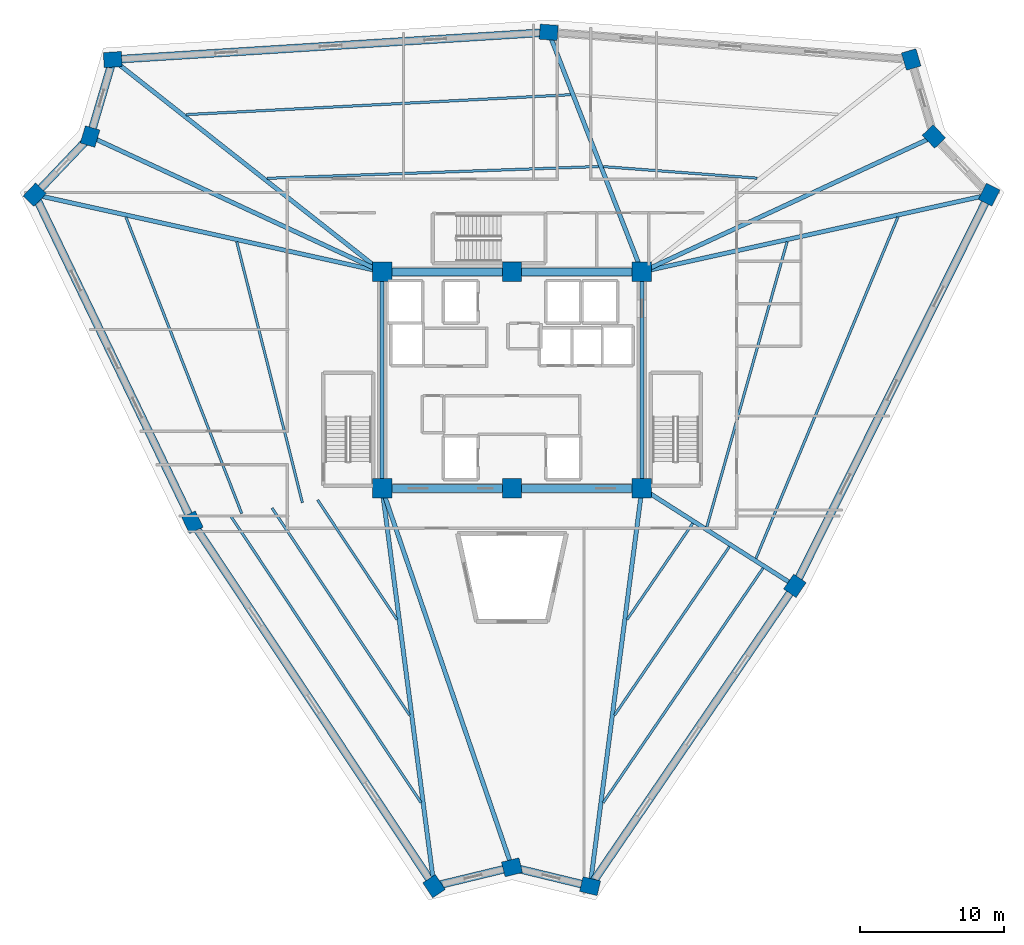
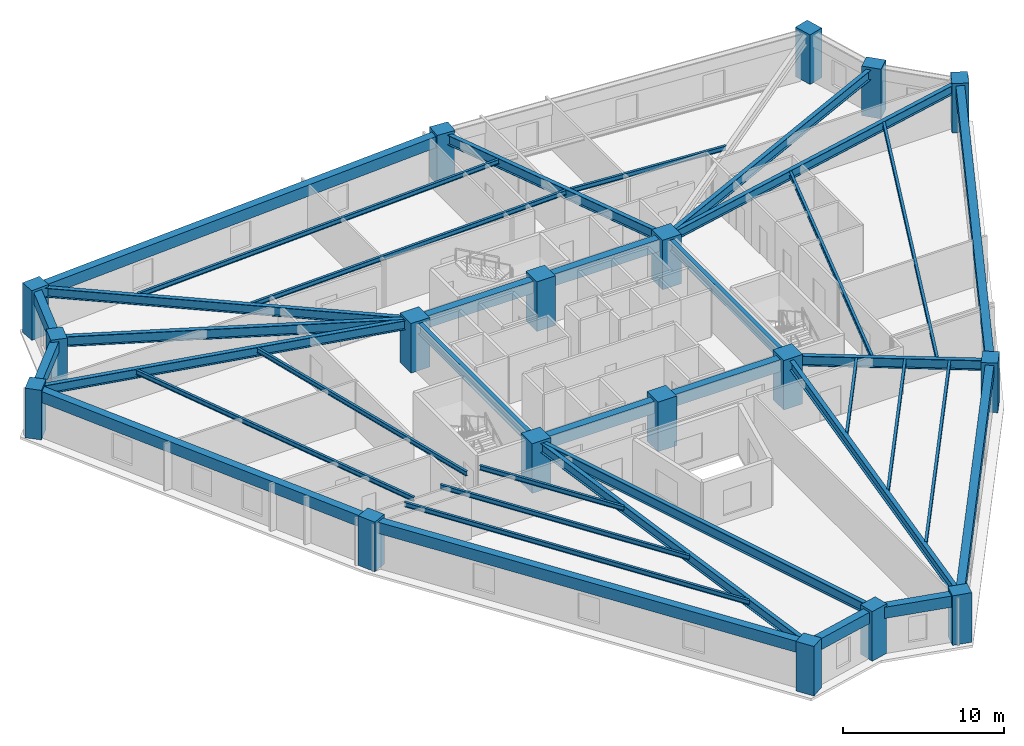
# One storey, part 1 of 9: 38 beams, 18 columns.
"""IFC4 building model written with IfcOpenShell, lengths in metres."""

from ifc_helpers import new_model, si_unit, direction, frame, origin, origin_2d, place, context, subcontext, project, spatial, rectangle, i_section, extrude, source, transform, mapped, material, material_profile, profile_set, type_object, element, save


model = new_model("IFC4")

# Units and contexts
model_context = context("Model", 3, precision=1e-05, world=origin(), true_north=direction((0.0, 1.0)))
body_context = subcontext(model_context, "Body", "Model", "MODEL_VIEW")
ifc_project = project(units=[si_unit("LENGTHUNIT", "METRE"), si_unit("AREAUNIT", "SQUARE_METRE"), si_unit("VOLUMEUNIT", "CUBIC_METRE"), si_unit("PLANEANGLEUNIT", "RADIAN"), si_unit("MASSUNIT", "GRAM", prefix="KILO")], contexts=[model_context])

# Site, building, storey
site_placement = place(None, origin())
site = spatial("IfcSite", under=ifc_project, at=site_placement, CompositionType="ELEMENT")
building_placement = place(site_placement, origin())
building = spatial("IfcBuilding", under=site, at=building_placement, Name="Liaohun Quay Tower", CompositionType="ELEMENT")
storey_placement = place(building_placement, frame((0.0, 0.0, 224.25)))
storey = spatial("IfcBuildingStorey", under=building, at=storey_placement, Name="L58", CompositionType="ELEMENT", Elevation=224.25)

# Columns
ifc_material_1 = material(Name="Concrete C55", Category="concrete")
ifc_material_profile_1 = material_profile(ifc_material_1, rectangle(XDim=1.35009765625, YDim=1.35009765625, at=origin_2d()), Name="RC1350x1350")
ifc_profile_set_1 = profile_set([ifc_material_profile_1], Name="Concrete C55")
column_type_1 = type_object("IfcColumnType", Name="COL-CC-Z3", PredefinedType="COLUMN", material=ifc_profile_set_1)
shared_shape_1 = source(origin(), body_context, "Body", "SweptSolid", [
    extrude(rectangle(XDim=1.35009765625, YDim=1.35009765625, at=origin_2d()), origin(), (0.0, 0.0, 1.0), 3.75),
])
for number, where, z_axis, x_axis, name in (
    (1, (51.0, 46.5, 0.0), (0.0, 0.0, 1.0), (1.0, 0.0, 0.0), "L58 Core Column CC1"),
    (2, (60.0, 46.5, 0.0), (0.0, 0.0, 1.0), (1.0, 0.0, 0.0), "L58 Core Column CC2"),
    (3, (69.0, 46.5, 0.0), (0.0, 0.0, 1.0), (1.0, 0.0, 0.0), "L58 Core Column CC3"),
    (4, (69.0, 61.5, 0.0), (0.0, 0.0, 1.0), (1.0, 0.0, 0.0), "L58 Core Column CC4"),
    (5, (60.0, 61.5, 0.0), (0.0, 0.0, 1.0), (1.0, 0.0, 0.0), "L58 Core Column CC5"),
    (6, (51.0, 61.5, 0.0), (0.0, 0.0, 1.0), (1.0, 0.0, 0.0), "L58 Core Column CC6"),
):
    element("IfcColumn", number, at=place(storey_placement, frame(where, z_axis=z_axis, x_axis=x_axis)), inside=storey, type_object=column_type_1, Name=name, PredefinedType="COLUMN", context=body_context, shape_type="MappedRepresentation", body=[
        mapped(shared_shape_1, transform((0.0, 0.0, 0.0), x_axis=(1.0, 0.0, 0.0), y_axis=(0.0, 1.0, 0.0), z_axis=(0.0, 0.0, 1.0), scale=1.0)),
    ])
ifc_material_profile_2 = material_profile(ifc_material_1, rectangle(XDim=1.25, YDim=1.050048828125, at=origin_2d()), Name="RC1250x1050")
ifc_profile_set_2 = profile_set([ifc_material_profile_2], Name="Concrete C55")
column_type_2 = type_object("IfcColumnType", Name="COL-PIER-Z3", PredefinedType="COLUMN", material=ifc_profile_set_2)
shared_shape_2 = source(origin(), body_context, "Body", "SweptSolid", [
    extrude(rectangle(XDim=1.25, YDim=1.050048828125, at=origin_2d()), origin(), (0.0, 0.0, 1.0), 3.75),
])
for number, where, z_axis, x_axis, name in (
    (7, (54.60009765625, 18.952880859375, 0.0), (0.0, 0.0, 1.0), (-0.553100771174, 0.833114360053, 0.0), "L58 Perimeter Pier PC01"),
    (8, (37.864990234375, 44.155029296875, 0.0), (0.0, 0.0, 1.0), (-0.43381634559, 0.90100131981, 0.0), "L58 Perimeter Pier PC02"),
    (9, (26.944091796875, 66.841064453125, 0.0), (0.0, 0.0, 1.0), (0.68936671806, 0.724412539946, 0.0), "L58 Perimeter Pier PC03"),
    (10, (30.778076171875, 70.87109375, 0.0), (0.0, 0.0, 1.0), (0.282676303383, 0.959215360337, 0.0), "L58 Perimeter Pier PC04"),
    (11, (32.34912109375, 76.199951171875, 0.0), (0.0, 0.0, 1.0), (0.998048585651, 0.062442138662, 0.0), "L58 Perimeter Pier PC05"),
    (12, (62.5419921875, 78.091064453125, 0.0), (0.0, 0.0, 1.0), (-0.997198204594, 0.074804684047, 0.0), "L58 Perimeter Pier PC06"),
    (13, (87.64892578125, 76.20703125, 0.0), (0.0, 0.0, 1.0), (-0.282676303383, 0.959215360337, 0.0), "L58 Perimeter Pier PC07"),
    (14, (89.221923828125, 70.87109375, 0.0), (0.0, 0.0, 1.0), (-0.68936671806, 0.724412539946, 0.0), "L58 Perimeter Pier PC08"),
    (15, (93.051025390625, 66.845947265625, 0.0), (0.0, 0.0, 1.0), (0.444947814477, 0.895556498716, 0.0), "L58 Perimeter Pier PC09"),
    (16, (79.593017578125, 39.75390625, 0.0), (0.0, 0.0, 1.0), (0.563381859003, 0.826196635763, 0.0), "L58 Perimeter Pier PC10"),
    (17, (65.407958984375, 18.950927734375, 0.0), (0.0, 0.0, 1.0), (-0.972043021443, 0.234802820391, 0.0), "L58 Perimeter Pier PC11"),
    (18, (60.0, 20.257080078125, 0.0), (0.0, 0.0, 1.0), (0.972043021443, 0.234802820391, 0.0), "L58 Perimeter Pier PC12"),
):
    element("IfcColumn", number, at=place(storey_placement, frame(where, z_axis=z_axis, x_axis=x_axis)), inside=storey, type_object=column_type_2, Name=name, PredefinedType="COLUMN", context=body_context, shape_type="MappedRepresentation", body=[
        mapped(shared_shape_2, transform((0.0, 0.0, 0.0), x_axis=(1.0, 0.0, 0.0), y_axis=(0.0, 1.0, 0.0), z_axis=(0.0, 0.0, 1.0), scale=1.0)),
    ])

# Beams
ifc_material_2 = material(Name="Steel Q355D", Category="steel")
ifc_material_profile_3 = material_profile(ifc_material_2, i_section(OverallWidth=0.300048828125, OverallDepth=0.800048828125, WebThickness=0.013916015625, FlangeThickness=0.02587890625, at=origin_2d()), Name="HN800x300x14x26")
ifc_profile_set_3 = profile_set([ifc_material_profile_3], Name="Steel Q355D")
beam_type_1 = type_object("IfcBeamType", Name="BM-RAD-M1", PredefinedType="BEAM", material=ifc_profile_set_3)
shared_shape_3 = source(origin(), body_context, "Body", "SweptSolid", [
    extrude(i_section(OverallWidth=0.300048828125, OverallDepth=0.800048828125, WebThickness=0.013916015625, FlangeThickness=0.02587890625, at=origin_2d()), origin(), (0.0, 0.0, 1.0), 15.0),
])
for number, where, z_axis, x_axis, name in (
    (19, (69.0, 46.5, 3.169921875), (0.0, 1.0, 0.0), (-1.0, 0.0, 0.0), "L58 Core Coupling/Ring Beam CC3-CC4"),
    (20, (51.0, 61.5, 3.169921875), (0.0, -1.0, 0.0), (1.0, 0.0, 0.0), "L58 Core Coupling/Ring Beam CC6-CC1"),
):
    element("IfcBeam", number, at=place(storey_placement, frame(where, z_axis=z_axis, x_axis=x_axis)), inside=storey, type_object=beam_type_1, Name=name, PredefinedType="BEAM", context=body_context, shape_type="MappedRepresentation", body=[
        mapped(shared_shape_3, transform((0.0, 0.0, 0.0), x_axis=(1.0, 0.0, 0.0), y_axis=(0.0, 1.0, 0.0), z_axis=(0.0, 0.0, 1.0), scale=1.0)),
    ])
ifc_material_profile_4 = material_profile(ifc_material_1, rectangle(XDim=0.550048828125, YDim=0.89990234375, at=origin_2d()), Name="RC550x900")
ifc_profile_set_4 = profile_set([ifc_material_profile_4], Name="Concrete C55")
beam_type_2 = type_object("IfcBeamType", Name="BM-CPL-2", PredefinedType="LINTEL", material=ifc_profile_set_4)
shared_shape_4 = source(origin(), body_context, "Body", "SweptSolid", [
    extrude(rectangle(XDim=0.550048828125, YDim=0.89990234375, at=origin_2d()), origin(), (0.0, 0.0, 1.0), 9.0),
])
for number, where, z_axis, x_axis, name in (
    (21, (51.0, 46.5, 3.1201171875), (1.0, 0.0, 0.0), (0.0, 1.0, 0.0), "L58 Core Coupling/Ring Beam CC1-CC2"),
    (22, (60.0, 46.5, 3.1201171875), (1.0, 0.0, 0.0), (0.0, 1.0, 0.0), "L58 Core Coupling/Ring Beam CC2-CC3"),
    (23, (69.0, 61.5, 3.1201171875), (-1.0, 0.0, 0.0), (0.0, -1.0, 0.0), "L58 Core Coupling/Ring Beam CC4-CC5"),
    (24, (60.0, 61.5, 3.1201171875), (-1.0, 0.0, 0.0), (0.0, -1.0, 0.0), "L58 Core Coupling/Ring Beam CC5-CC6"),
):
    element("IfcBeam", number, at=place(storey_placement, frame(where, z_axis=z_axis, x_axis=x_axis)), inside=storey, type_object=beam_type_2, Name=name, PredefinedType="LINTEL", context=body_context, shape_type="MappedRepresentation", body=[
        mapped(shared_shape_4, transform((0.0, 0.0, 0.0), x_axis=(1.0, 0.0, 0.0), y_axis=(0.0, 1.0, 0.0), z_axis=(0.0, 0.0, 1.0), scale=1.0)),
    ])
ifc_material_profile_5 = material_profile(ifc_material_2, i_section(OverallWidth=0.300048828125, OverallDepth=0.699951171875, WebThickness=0.012939453125, FlangeThickness=0.02392578125, at=origin_2d()), Name="HN700x300x13x24")
ifc_profile_set_5 = profile_set([ifc_material_profile_5], Name="Steel Q355D")
beam_type_3 = type_object("IfcBeamType", Name="BM-RAD-U1", PredefinedType="BEAM", material=ifc_profile_set_5)
shared_shape_5 = source(origin(), body_context, "Body", "SweptSolid", [
    extrude(i_section(OverallWidth=0.300048828125, OverallDepth=0.699951171875, WebThickness=0.012939453125, FlangeThickness=0.02392578125, at=origin_2d()), origin(), (0.0, 0.0, 1.0), 27.78125),
])
beam_1_placement = place(storey_placement, frame((51.0, 46.5, 3.219970703125), z_axis=(0.129586761075, -0.991568087099, 0.0), x_axis=(0.991568087099, 0.129586761075, 0.0)))
element("IfcBeam", 25, at=beam_1_placement, inside=storey, type_object=beam_type_3, Name="L58 Radial Primary Girder CC1-PC01", PredefinedType="BEAM", context=body_context, shape_type="MappedRepresentation", body=[
    mapped(shared_shape_5, transform((0.0, 0.0, 0.0), x_axis=(1.0, 0.0, 0.0), y_axis=(0.0, 1.0, 0.0), z_axis=(0.0, 0.0, 1.0), scale=1.0)),
])
shared_shape_6 = source(origin(), body_context, "Body", "SweptSolid", [
    extrude(i_section(OverallWidth=0.300048828125, OverallDepth=0.699951171875, WebThickness=0.012939453125, FlangeThickness=0.02392578125, at=origin_2d()), origin(), (0.0, 0.0, 1.0), 24.6416015625),
])
beam_2_placement = place(storey_placement, frame((51.0, 61.5, 3.219970703125), z_axis=(-0.976227373149, 0.216748969811, 0.0), x_axis=(-0.216748969811, -0.976227373149, 0.0)))
element("IfcBeam", 26, at=beam_2_placement, inside=storey, type_object=beam_type_3, Name="L58 Radial Primary Girder CC6-PC03", PredefinedType="BEAM", context=body_context, shape_type="MappedRepresentation", body=[
    mapped(shared_shape_6, transform((0.0, 0.0, 0.0), x_axis=(1.0, 0.0, 0.0), y_axis=(0.0, 1.0, 0.0), z_axis=(0.0, 0.0, 1.0), scale=1.0)),
])
ifc_material_profile_6 = material_profile(ifc_material_2, i_section(OverallWidth=0.300048828125, OverallDepth=0.75, WebThickness=0.013916015625, FlangeThickness=0.02587890625, at=origin_2d()), Name="HN750x300x14x26")
ifc_profile_set_6 = profile_set([ifc_material_profile_6], Name="Steel Q355D")
beam_type_4 = type_object("IfcBeamType", Name="BM-RAD-M2", PredefinedType="BEAM", material=ifc_profile_set_6)
shared_shape_7 = source(origin(), body_context, "Body", "SweptSolid", [
    extrude(i_section(OverallWidth=0.300048828125, OverallDepth=0.75, WebThickness=0.013916015625, FlangeThickness=0.02587890625, at=origin_2d()), origin(), (0.0, 0.0, 1.0), 22.287841796875),
])
for number, where, z_axis, x_axis, name in (
    (27, (51.0, 61.5, 3.195068359375), (-0.907311319993, 0.420459473211, 0.0), (-0.420459473211, -0.907311319993, 0.0), "L58 Radial Primary Girder CC6-PC04"),
    (28, (69.0, 61.5, 3.195068359375), (0.907311319993, 0.420459473211, 0.0), (-0.420459473211, 0.907311319993, 0.0), "L58 Radial Primary Girder CC4-PC08"),
):
    element("IfcBeam", number, at=place(storey_placement, frame(where, z_axis=z_axis, x_axis=x_axis)), inside=storey, type_object=beam_type_4, Name=name, PredefinedType="BEAM", context=body_context, shape_type="MappedRepresentation", body=[
        mapped(shared_shape_7, transform((0.0, 0.0, 0.0), x_axis=(1.0, 0.0, 0.0), y_axis=(0.0, 1.0, 0.0), z_axis=(0.0, 0.0, 1.0), scale=1.0)),
    ])
shared_shape_8 = source(origin(), body_context, "Body", "SweptSolid", [
    extrude(i_section(OverallWidth=0.300048828125, OverallDepth=0.699951171875, WebThickness=0.012939453125, FlangeThickness=0.02392578125, at=origin_2d()), origin(), (0.0, 0.0, 1.0), 23.74755859375),
])
beam_3_placement = place(storey_placement, frame((51.0, 61.5, 3.219970703125), z_axis=(-0.785382772163, 0.619010420906, 0.0), x_axis=(-0.619010420906, -0.785382772163, 0.0)))
element("IfcBeam", 29, at=beam_3_placement, inside=storey, type_object=beam_type_3, Name="L58 Radial Primary Girder CC6-PC05", PredefinedType="BEAM", context=body_context, shape_type="MappedRepresentation", body=[
    mapped(shared_shape_8, transform((0.0, 0.0, 0.0), x_axis=(1.0, 0.0, 0.0), y_axis=(0.0, 1.0, 0.0), z_axis=(0.0, 0.0, 1.0), scale=1.0)),
])
shared_shape_9 = source(origin(), body_context, "Body", "SweptSolid", [
    extrude(i_section(OverallWidth=0.300048828125, OverallDepth=0.75, WebThickness=0.013916015625, FlangeThickness=0.02587890625, at=origin_2d()), origin(), (0.0, 0.0, 1.0), 17.8037109375),
])
beam_4_placement = place(storey_placement, frame((69.0, 61.5, 3.195068359375), z_axis=(-0.362735429247, 0.931892165633, 0.0), x_axis=(-0.931892165633, -0.362735429247, 0.0)))
element("IfcBeam", 30, at=beam_4_placement, inside=storey, type_object=beam_type_4, Name="L58 Radial Primary Girder CC4-PC06", PredefinedType="BEAM", context=body_context, shape_type="MappedRepresentation", body=[
    mapped(shared_shape_9, transform((0.0, 0.0, 0.0), x_axis=(1.0, 0.0, 0.0), y_axis=(0.0, 1.0, 0.0), z_axis=(0.0, 0.0, 1.0), scale=1.0)),
])
shared_shape_10 = source(origin(), body_context, "Body", "SweptSolid", [
    extrude(i_section(OverallWidth=0.300048828125, OverallDepth=0.699951171875, WebThickness=0.012939453125, FlangeThickness=0.02392578125, at=origin_2d()), origin(), (0.0, 0.0, 1.0), 24.637939453125),
])
beam_5_placement = place(storey_placement, frame((69.0, 61.5, 3.219970703125), z_axis=(0.976176100629, 0.216979769934, 0.0), x_axis=(-0.216979769934, 0.976176100629, 0.0)))
element("IfcBeam", 31, at=beam_5_placement, inside=storey, type_object=beam_type_3, Name="L58 Radial Primary Girder CC4-PC09", PredefinedType="BEAM", context=body_context, shape_type="MappedRepresentation", body=[
    mapped(shared_shape_10, transform((0.0, 0.0, 0.0), x_axis=(1.0, 0.0, 0.0), y_axis=(0.0, 1.0, 0.0), z_axis=(0.0, 0.0, 1.0), scale=1.0)),
])
shared_shape_11 = source(origin(), body_context, "Body", "SweptSolid", [
    extrude(i_section(OverallWidth=0.300048828125, OverallDepth=0.75, WebThickness=0.013916015625, FlangeThickness=0.02587890625, at=origin_2d()), origin(), (0.0, 0.0, 1.0), 12.558837890625),
])
beam_6_placement = place(storey_placement, frame((69.0, 46.5, 3.195068359375), z_axis=(0.843478131667, -0.537163514583, 0.0), x_axis=(0.537163514583, 0.843478131667, 0.0)))
element("IfcBeam", 32, at=beam_6_placement, inside=storey, type_object=beam_type_4, Name="L58 Radial Primary Girder CC3-PC10", PredefinedType="BEAM", context=body_context, shape_type="MappedRepresentation", body=[
    mapped(shared_shape_11, transform((0.0, 0.0, 0.0), x_axis=(1.0, 0.0, 0.0), y_axis=(0.0, 1.0, 0.0), z_axis=(0.0, 0.0, 1.0), scale=1.0)),
])
shared_shape_12 = source(origin(), body_context, "Body", "SweptSolid", [
    extrude(i_section(OverallWidth=0.300048828125, OverallDepth=0.699951171875, WebThickness=0.012939453125, FlangeThickness=0.02392578125, at=origin_2d()), origin(), (0.0, 0.0, 1.0), 27.7822265625),
])
beam_7_placement = place(storey_placement, frame((69.0, 46.5, 3.219970703125), z_axis=(-0.129292599614, -0.991606486306, 0.0), x_axis=(0.991606486306, -0.129292599614, 0.0)))
element("IfcBeam", 33, at=beam_7_placement, inside=storey, type_object=beam_type_3, Name="L58 Radial Primary Girder CC3-PC11", PredefinedType="BEAM", context=body_context, shape_type="MappedRepresentation", body=[
    mapped(shared_shape_12, transform((0.0, 0.0, 0.0), x_axis=(1.0, 0.0, 0.0), y_axis=(0.0, 1.0, 0.0), z_axis=(0.0, 0.0, 1.0), scale=1.0)),
])
shared_shape_13 = source(origin(), body_context, "Body", "SweptSolid", [
    extrude(i_section(OverallWidth=0.300048828125, OverallDepth=0.75, WebThickness=0.013916015625, FlangeThickness=0.02587890625, at=origin_2d()), origin(), (0.0, 0.0, 1.0), 27.743408203125),
])
beam_8_placement = place(storey_placement, frame((51.0, 46.5, 3.195068359375), z_axis=(0.324402616718, -0.945919099219, 0.0), x_axis=(0.945919099219, 0.324402616718, 0.0)))
element("IfcBeam", 34, at=beam_8_placement, inside=storey, type_object=beam_type_4, Name="L58 Radial Primary Girder CC1-PC12", PredefinedType="BEAM", context=body_context, shape_type="MappedRepresentation", body=[
    mapped(shared_shape_13, transform((0.0, 0.0, 0.0), x_axis=(1.0, 0.0, 0.0), y_axis=(0.0, 1.0, 0.0), z_axis=(0.0, 0.0, 1.0), scale=1.0)),
])
ifc_material_profile_7 = material_profile(ifc_material_2, i_section(OverallWidth=0.175048828125, OverallDepth=0.35009765625, WebThickness=0.007080078125, FlangeThickness=0.010986328125, at=origin_2d()), Name="HN350x175x7x11")
ifc_profile_set_7 = profile_set([ifc_material_profile_7], Name="Steel Q355D")
beam_type_5 = type_object("IfcBeamType", Name="BM-SEC-J3", PredefinedType="JOIST", material=ifc_profile_set_7)
shared_shape_14 = source(origin(), body_context, "Body", "SweptSolid", [
    extrude(i_section(OverallWidth=0.175048828125, OverallDepth=0.35009765625, WebThickness=0.007080078125, FlangeThickness=0.010986328125, at=origin_2d()), origin(), (0.0, 0.0, 1.0), 9.9453125),
])
beam_9_placement = place(storey_placement, frame((52.035888671875, 37.41796875, 3.39501953125), z_axis=(-0.553215100182, 0.83303844625, 0.0), x_axis=(-0.83303844625, -0.553215100182, 0.0)))
element("IfcBeam", 35, at=beam_9_placement, inside=storey, type_object=beam_type_5, Name="L58 Wing Secondary Floor Joist SJ-01", PredefinedType="JOIST", context=body_context, shape_type="MappedRepresentation", body=[
    mapped(shared_shape_14, transform((0.0, 0.0, 0.0), x_axis=(1.0, 0.0, 0.0), y_axis=(0.0, 1.0, 0.0), z_axis=(0.0, 0.0, 1.0), scale=1.0)),
])
shared_shape_15 = source(origin(), body_context, "Body", "SweptSolid", [
    extrude(i_section(OverallWidth=0.175048828125, OverallDepth=0.35009765625, WebThickness=0.007080078125, FlangeThickness=0.010986328125, at=origin_2d()), origin(), (0.0, 0.0, 1.0), 17.2060546875),
])
beam_10_placement = place(storey_placement, frame((52.89990234375, 30.805908203125, 3.39501953125), z_axis=(-0.553163550084, 0.833072678017, 0.0), x_axis=(-0.833072678017, -0.553163550084, 0.0)))
element("IfcBeam", 36, at=beam_10_placement, inside=storey, type_object=beam_type_5, Name="L58 Wing Secondary Floor Joist SJ-02", PredefinedType="JOIST", context=body_context, shape_type="MappedRepresentation", body=[
    mapped(shared_shape_15, transform((0.0, 0.0, 0.0), x_axis=(1.0, 0.0, 0.0), y_axis=(0.0, 1.0, 0.0), z_axis=(0.0, 0.0, 1.0), scale=1.0)),
])
shared_shape_16 = source(origin(), body_context, "Body", "SweptSolid", [
    extrude(i_section(OverallWidth=0.175048828125, OverallDepth=0.35009765625, WebThickness=0.007080078125, FlangeThickness=0.010986328125, at=origin_2d()), origin(), (0.0, 0.0, 1.0), 23.861572265625),
])
beam_11_placement = place(storey_placement, frame((53.69189453125, 24.74609375, 3.39501953125), z_axis=(-0.553190520605, 0.833054768855, 0.0), x_axis=(-0.833054768855, -0.553190520605, 0.0)))
element("IfcBeam", 37, at=beam_11_placement, inside=storey, type_object=beam_type_5, Name="L58 Wing Secondary Floor Joist SJ-03", PredefinedType="JOIST", context=body_context, shape_type="MappedRepresentation", body=[
    mapped(shared_shape_16, transform((0.0, 0.0, 0.0), x_axis=(1.0, 0.0, 0.0), y_axis=(0.0, 1.0, 0.0), z_axis=(0.0, 0.0, 1.0), scale=1.0)),
])
shared_shape_17 = source(origin(), body_context, "Body", "SweptSolid", [
    extrude(i_section(OverallWidth=0.175048828125, OverallDepth=0.35009765625, WebThickness=0.007080078125, FlangeThickness=0.010986328125, at=origin_2d()), origin(), (0.0, 0.0, 1.0), 18.62841796875),
])
beam_12_placement = place(storey_placement, frame((45.48291015625, 45.514892578125, 3.39501953125), z_axis=(-0.244030945705, 0.969767445081, 0.0), x_axis=(-0.969767445081, -0.244030945705, 0.0)))
element("IfcBeam", 38, at=beam_12_placement, inside=storey, type_object=beam_type_5, Name="L58 Wing Secondary Floor Joist SJ-04", PredefinedType="JOIST", context=body_context, shape_type="MappedRepresentation", body=[
    mapped(shared_shape_17, transform((0.0, 0.0, 0.0), x_axis=(1.0, 0.0, 0.0), y_axis=(0.0, 1.0, 0.0), z_axis=(0.0, 0.0, 1.0), scale=1.0)),
])
shared_shape_18 = source(origin(), body_context, "Body", "SweptSolid", [
    extrude(i_section(OverallWidth=0.175048828125, OverallDepth=0.35009765625, WebThickness=0.007080078125, FlangeThickness=0.010986328125, at=origin_2d()), origin(), (0.0, 0.0, 1.0), 22.029296875),
])
beam_13_placement = place(storey_placement, frame((41.280029296875, 44.764892578125, 3.39501953125), z_axis=(-0.36388448115, 0.931444085482, 0.0), x_axis=(-0.931444085482, -0.36388448115, 0.0)))
element("IfcBeam", 39, at=beam_13_placement, inside=storey, type_object=beam_type_5, Name="L58 Wing Secondary Floor Joist SJ-05", PredefinedType="JOIST", context=body_context, shape_type="MappedRepresentation", body=[
    mapped(shared_shape_18, transform((0.0, 0.0, 0.0), x_axis=(1.0, 0.0, 0.0), y_axis=(0.0, 1.0, 0.0), z_axis=(0.0, 0.0, 1.0), scale=1.0)),
])
shared_shape_19 = source(origin(), body_context, "Body", "SweptSolid", [
    extrude(i_section(OverallWidth=0.175048828125, OverallDepth=0.35009765625, WebThickness=0.007080078125, FlangeThickness=0.010986328125, at=origin_2d()), origin(), (0.0, 0.0, 1.0), 22.98974609375),
])
beam_14_placement = place(storey_placement, frame((43.02490234375, 67.97607421875, 3.39501953125), z_axis=(0.999366987236, 0.035575621185, 0.0), x_axis=(-0.035575621185, 0.999366987236, 0.0)))
element("IfcBeam", 40, at=beam_14_placement, inside=storey, type_object=beam_type_5, Name="L58 Wing Secondary Floor Joist SJ-06", PredefinedType="JOIST", context=body_context, shape_type="MappedRepresentation", body=[
    mapped(shared_shape_19, transform((0.0, 0.0, 0.0), x_axis=(1.0, 0.0, 0.0), y_axis=(0.0, 1.0, 0.0), z_axis=(0.0, 0.0, 1.0), scale=1.0)),
])
shared_shape_20 = source(origin(), body_context, "Body", "SweptSolid", [
    extrude(i_section(OverallWidth=0.175048828125, OverallDepth=0.35009765625, WebThickness=0.007080078125, FlangeThickness=0.010986328125, at=origin_2d()), origin(), (0.0, 0.0, 1.0), 26.672607421875),
])
beam_15_placement = place(storey_placement, frame((37.426025390625, 72.389892578125, 3.39501953125), z_axis=(0.998662321502, 0.0517065529, 0.0), x_axis=(-0.0517065529, 0.998662321502, 0.0)))
element("IfcBeam", 41, at=beam_15_placement, inside=storey, type_object=beam_type_5, Name="L58 Wing Secondary Floor Joist SJ-07", PredefinedType="JOIST", context=body_context, shape_type="MappedRepresentation", body=[
    mapped(shared_shape_20, transform((0.0, 0.0, 0.0), x_axis=(1.0, 0.0, 0.0), y_axis=(0.0, 1.0, 0.0), z_axis=(0.0, 0.0, 1.0), scale=1.0)),
])
shared_shape_21 = source(origin(), body_context, "Body", "SweptSolid", [
    extrude(i_section(OverallWidth=0.175048828125, OverallDepth=0.35009765625, WebThickness=0.007080078125, FlangeThickness=0.010986328125, at=origin_2d()), origin(), (0.0, 0.0, 1.0), 10.68994140625),
])
beam_16_placement = place(storey_placement, frame((66.323974609375, 68.7880859375, 3.39501953125), z_axis=(0.997195433536, -0.074841614999, 0.0), x_axis=(0.074841614999, 0.997195433536, 0.0)))
element("IfcBeam", 42, at=beam_16_placement, inside=storey, type_object=beam_type_5, Name="L58 Wing Secondary Floor Joist SJ-08", PredefinedType="JOIST", context=body_context, shape_type="MappedRepresentation", body=[
    mapped(shared_shape_21, transform((0.0, 0.0, 0.0), x_axis=(1.0, 0.0, 0.0), y_axis=(0.0, 1.0, 0.0), z_axis=(0.0, 0.0, 1.0), scale=1.0)),
])
shared_shape_22 = source(origin(), body_context, "Body", "SweptSolid", [
    extrude(i_section(OverallWidth=0.175048828125, OverallDepth=0.35009765625, WebThickness=0.007080078125, FlangeThickness=0.010986328125, at=origin_2d()), origin(), (0.0, 0.0, 1.0), 20.5322265625),
])
beam_17_placement = place(storey_placement, frame((79.054931640625, 63.5810546875, 3.39501953125), z_axis=(-0.270940470508, -0.962596105042, 0.0), x_axis=(0.962596105042, -0.270940470508, 0.0)))
element("IfcBeam", 43, at=beam_17_placement, inside=storey, type_object=beam_type_5, Name="L58 Wing Secondary Floor Joist SJ-10", PredefinedType="JOIST", context=body_context, shape_type="MappedRepresentation", body=[
    mapped(shared_shape_22, transform((0.0, 0.0, 0.0), x_axis=(1.0, 0.0, 0.0), y_axis=(0.0, 1.0, 0.0), z_axis=(0.0, 0.0, 1.0), scale=1.0)),
])
shared_shape_23 = source(origin(), body_context, "Body", "SweptSolid", [
    extrude(i_section(OverallWidth=0.175048828125, OverallDepth=0.35009765625, WebThickness=0.007080078125, FlangeThickness=0.010986328125, at=origin_2d()), origin(), (0.0, 0.0, 1.0), 25.6005859375),
])
beam_18_placement = place(storey_placement, frame((86.72705078125, 65.287109375, 3.39501953125), z_axis=(-0.383977419794, -0.923342483095, 0.0), x_axis=(0.923342483095, -0.383977419794, 0.0)))
element("IfcBeam", 44, at=beam_18_placement, inside=storey, type_object=beam_type_5, Name="L58 Wing Secondary Floor Joist SJ-11", PredefinedType="JOIST", context=body_context, shape_type="MappedRepresentation", body=[
    mapped(shared_shape_23, transform((0.0, 0.0, 0.0), x_axis=(1.0, 0.0, 0.0), y_axis=(0.0, 1.0, 0.0), z_axis=(0.0, 0.0, 1.0), scale=1.0)),
])
shared_shape_24 = source(origin(), body_context, "Body", "SweptSolid", [
    extrude(i_section(OverallWidth=0.175048828125, OverallDepth=0.35009765625, WebThickness=0.007080078125, FlangeThickness=0.010986328125, at=origin_2d()), origin(), (0.0, 0.0, 1.0), 8.078125),
])
beam_19_placement = place(storey_placement, frame((72.51708984375, 44.08203125, 3.39501953125), z_axis=(-0.563380900352, -0.826197289465, 0.0), x_axis=(0.826197289465, -0.563380900352, 0.0)))
element("IfcBeam", 45, at=beam_19_placement, inside=storey, type_object=beam_type_5, Name="L58 Wing Secondary Floor Joist SJ-12", PredefinedType="JOIST", context=body_context, shape_type="MappedRepresentation", body=[
    mapped(shared_shape_24, transform((0.0, 0.0, 0.0), x_axis=(1.0, 0.0, 0.0), y_axis=(0.0, 1.0, 0.0), z_axis=(0.0, 0.0, 1.0), scale=1.0)),
])
shared_shape_25 = source(origin(), body_context, "Body", "SweptSolid", [
    extrude(i_section(OverallWidth=0.175048828125, OverallDepth=0.35009765625, WebThickness=0.007080078125, FlangeThickness=0.010986328125, at=origin_2d()), origin(), (0.0, 0.0, 1.0), 14.12109375),
])
beam_20_placement = place(storey_placement, frame((75.05908203125, 42.462890625, 3.39501953125), z_axis=(-0.563351845927, -0.826217100822, 0.0), x_axis=(0.826217100822, -0.563351845927, 0.0)))
element("IfcBeam", 46, at=beam_20_placement, inside=storey, type_object=beam_type_5, Name="L58 Wing Secondary Floor Joist SJ-13", PredefinedType="JOIST", context=body_context, shape_type="MappedRepresentation", body=[
    mapped(shared_shape_25, transform((0.0, 0.0, 0.0), x_axis=(1.0, 0.0, 0.0), y_axis=(0.0, 1.0, 0.0), z_axis=(0.0, 0.0, 1.0), scale=1.0)),
])
shared_shape_26 = source(origin(), body_context, "Body", "SweptSolid", [
    extrude(i_section(OverallWidth=0.175048828125, OverallDepth=0.35009765625, WebThickness=0.007080078125, FlangeThickness=0.010986328125, at=origin_2d()), origin(), (0.0, 0.0, 1.0), 19.6611328125),
])
beam_21_placement = place(storey_placement, frame((77.389892578125, 40.97900390625, 3.39501953125), z_axis=(-0.563389610554, -0.826191349942, 0.0), x_axis=(0.826191349942, -0.563389610554, 0.0)))
element("IfcBeam", 47, at=beam_21_placement, inside=storey, type_object=beam_type_5, Name="L58 Wing Secondary Floor Joist SJ-14", PredefinedType="JOIST", context=body_context, shape_type="MappedRepresentation", body=[
    mapped(shared_shape_26, transform((0.0, 0.0, 0.0), x_axis=(1.0, 0.0, 0.0), y_axis=(0.0, 1.0, 0.0), z_axis=(0.0, 0.0, 1.0), scale=1.0)),
])
ifc_material_3 = material(Name="Precast concrete C50", Category="concrete")
ifc_material_profile_8 = material_profile(ifc_material_3, rectangle(XDim=0.550048828125, YDim=0.85009765625, at=origin_2d()), Name="RC550x850")
ifc_profile_set_8 = profile_set([ifc_material_profile_8], Name="Precast concrete C50")
beam_type_6 = type_object("IfcBeamType", Name="BM-SPD-Z3", PredefinedType="SPANDREL", material=ifc_profile_set_8)
shared_shape_27 = source(origin(), body_context, "Body", "SweptSolid", [
    extrude(rectangle(XDim=0.550048828125, YDim=0.85009765625, at=origin_2d()), origin(), (0.0, 0.0, 1.0), 30.25244140625),
])
beam_22_placement = place(storey_placement, frame((54.60009765625, 18.952880859375, 3.14501953125), z_axis=(-0.553181472839, 0.833060776959, 0.0), x_axis=(-0.833060776959, -0.553181472839, 0.0)))
element("IfcBeam", 48, at=beam_22_placement, inside=storey, type_object=beam_type_6, Name="L58 Precast Spandrel Beam PC01-PC02", PredefinedType="SPANDREL", context=body_context, shape_type="MappedRepresentation", body=[
    mapped(shared_shape_27, transform((0.0, 0.0, 0.0), x_axis=(1.0, 0.0, 0.0), y_axis=(0.0, 1.0, 0.0), z_axis=(0.0, 0.0, 1.0), scale=1.0)),
])
shared_shape_28 = source(origin(), body_context, "Body", "SweptSolid", [
    extrude(rectangle(XDim=0.550048828125, YDim=0.85009765625, at=origin_2d()), origin(), (0.0, 0.0, 1.0), 25.177734375),
])
beam_23_placement = place(storey_placement, frame((37.864990234375, 44.155029296875, 3.14501953125), z_axis=(-0.433750894083, 0.901032830635, 0.0), x_axis=(-0.901032830635, -0.433750894083, 0.0)))
element("IfcBeam", 49, at=beam_23_placement, inside=storey, type_object=beam_type_6, Name="L58 Precast Spandrel Beam PC02-PC03", PredefinedType="SPANDREL", context=body_context, shape_type="MappedRepresentation", body=[
    mapped(shared_shape_28, transform((0.0, 0.0, 0.0), x_axis=(1.0, 0.0, 0.0), y_axis=(0.0, 1.0, 0.0), z_axis=(0.0, 0.0, 1.0), scale=1.0)),
])
shared_shape_29 = source(origin(), body_context, "Body", "SweptSolid", [
    extrude(rectangle(XDim=0.550048828125, YDim=0.85009765625, at=origin_2d()), origin(), (0.0, 0.0, 1.0), 5.5625),
])
beam_24_placement = place(storey_placement, frame((26.944091796875, 66.841064453125, 3.14501953125), z_axis=(0.689264906527, 0.724509412382, 0.0), x_axis=(-0.724509412382, 0.689264906527, 0.0)))
element("IfcBeam", 50, at=beam_24_placement, inside=storey, type_object=beam_type_6, Name="L58 Precast Spandrel Beam PC03-PC04", PredefinedType="SPANDREL", context=body_context, shape_type="MappedRepresentation", body=[
    mapped(shared_shape_29, transform((0.0, 0.0, 0.0), x_axis=(1.0, 0.0, 0.0), y_axis=(0.0, 1.0, 0.0), z_axis=(0.0, 0.0, 1.0), scale=1.0)),
])
shared_shape_30 = source(origin(), body_context, "Body", "SweptSolid", [
    extrude(rectangle(XDim=0.550048828125, YDim=0.85009765625, at=origin_2d()), origin(), (0.0, 0.0, 1.0), 5.5556640625),
])
beam_25_placement = place(storey_placement, frame((30.778076171875, 70.87109375, 3.14501953125), z_axis=(0.282784851513, 0.959183365032, 0.0), x_axis=(-0.959183365032, 0.282784851513, 0.0)))
element("IfcBeam", 51, at=beam_25_placement, inside=storey, type_object=beam_type_6, Name="L58 Precast Spandrel Beam PC04-PC05", PredefinedType="SPANDREL", context=body_context, shape_type="MappedRepresentation", body=[
    mapped(shared_shape_30, transform((0.0, 0.0, 0.0), x_axis=(1.0, 0.0, 0.0), y_axis=(0.0, 1.0, 0.0), z_axis=(0.0, 0.0, 1.0), scale=1.0)),
])
shared_shape_31 = source(origin(), body_context, "Body", "SweptSolid", [
    extrude(rectangle(XDim=0.550048828125, YDim=0.85009765625, at=origin_2d()), origin(), (0.0, 0.0, 1.0), 30.251953125),
])
beam_26_placement = place(storey_placement, frame((32.34912109375, 76.199951171875, 3.14501953125), z_axis=(0.998044216699, 0.062511930966, 0.0), x_axis=(-0.062511930966, 0.998044216699, 0.0)))
element("IfcBeam", 52, at=beam_26_placement, inside=storey, type_object=beam_type_6, Name="L58 Precast Spandrel Beam PC05-PC06", PredefinedType="SPANDREL", context=body_context, shape_type="MappedRepresentation", body=[
    mapped(shared_shape_31, transform((0.0, 0.0, 0.0), x_axis=(1.0, 0.0, 0.0), y_axis=(0.0, 1.0, 0.0), z_axis=(0.0, 0.0, 1.0), scale=1.0)),
])
shared_shape_32 = source(origin(), body_context, "Body", "SweptSolid", [
    extrude(rectangle(XDim=0.550048828125, YDim=0.85009765625, at=origin_2d()), origin(), (0.0, 0.0, 1.0), 30.25048828125),
])
beam_27_placement = place(storey_placement, frame((93.051025390625, 66.845947265625, 3.14501953125), z_axis=(-0.444884516218, -0.895587945, 0.0), x_axis=(0.895587945, -0.444884516218, 0.0)))
element("IfcBeam", 53, at=beam_27_placement, inside=storey, type_object=beam_type_6, Name="L58 Precast Spandrel Beam PC09-PC10", PredefinedType="SPANDREL", context=body_context, shape_type="MappedRepresentation", body=[
    mapped(shared_shape_32, transform((0.0, 0.0, 0.0), x_axis=(1.0, 0.0, 0.0), y_axis=(0.0, 1.0, 0.0), z_axis=(0.0, 0.0, 1.0), scale=1.0)),
])
shared_shape_33 = source(origin(), body_context, "Body", "SweptSolid", [
    extrude(rectangle(XDim=0.550048828125, YDim=0.85009765625, at=origin_2d()), origin(), (0.0, 0.0, 1.0), 25.178955078125),
])
beam_28_placement = place(storey_placement, frame((79.593017578125, 39.75390625, 3.14501953125), z_axis=(-0.56336961902, -0.82620498205, 0.0), x_axis=(0.82620498205, -0.56336961902, 0.0)))
element("IfcBeam", 54, at=beam_28_placement, inside=storey, type_object=beam_type_6, Name="L58 Precast Spandrel Beam PC10-PC11", PredefinedType="SPANDREL", context=body_context, shape_type="MappedRepresentation", body=[
    mapped(shared_shape_33, transform((0.0, 0.0, 0.0), x_axis=(1.0, 0.0, 0.0), y_axis=(0.0, 1.0, 0.0), z_axis=(0.0, 0.0, 1.0), scale=1.0)),
])
shared_shape_34 = source(origin(), body_context, "Body", "SweptSolid", [
    extrude(rectangle(XDim=0.550048828125, YDim=0.85009765625, at=origin_2d()), origin(), (0.0, 0.0, 1.0), 5.5634765625),
])
beam_29_placement = place(storey_placement, frame((65.407958984375, 18.950927734375, 3.14501953125), z_axis=(-0.972050100862, 0.234773510885, 0.0), x_axis=(-0.234773510885, -0.972050100862, 0.0)))
element("IfcBeam", 55, at=beam_29_placement, inside=storey, type_object=beam_type_6, Name="L58 Precast Spandrel Beam PC11-PC12", PredefinedType="SPANDREL", context=body_context, shape_type="MappedRepresentation", body=[
    mapped(shared_shape_34, transform((0.0, 0.0, 0.0), x_axis=(1.0, 0.0, 0.0), y_axis=(0.0, 1.0, 0.0), z_axis=(0.0, 0.0, 1.0), scale=1.0)),
])
shared_shape_35 = source(origin(), body_context, "Body", "SweptSolid", [
    extrude(rectangle(XDim=0.550048828125, YDim=0.85009765625, at=origin_2d()), origin(), (0.0, 0.0, 1.0), 5.55517578125),
])
beam_30_placement = place(storey_placement, frame((60.0, 20.257080078125, 3.14501953125), z_axis=(-0.972050398791, -0.234772277346, 0.0), x_axis=(0.234772277346, -0.972050398791, 0.0)))
element("IfcBeam", 56, at=beam_30_placement, inside=storey, type_object=beam_type_6, Name="L58 Precast Spandrel Beam PC12-PC01", PredefinedType="SPANDREL", context=body_context, shape_type="MappedRepresentation", body=[
    mapped(shared_shape_35, transform((0.0, 0.0, 0.0), x_axis=(1.0, 0.0, 0.0), y_axis=(0.0, 1.0, 0.0), z_axis=(0.0, 0.0, 1.0), scale=1.0)),
])

save(model, "model.ifc")
